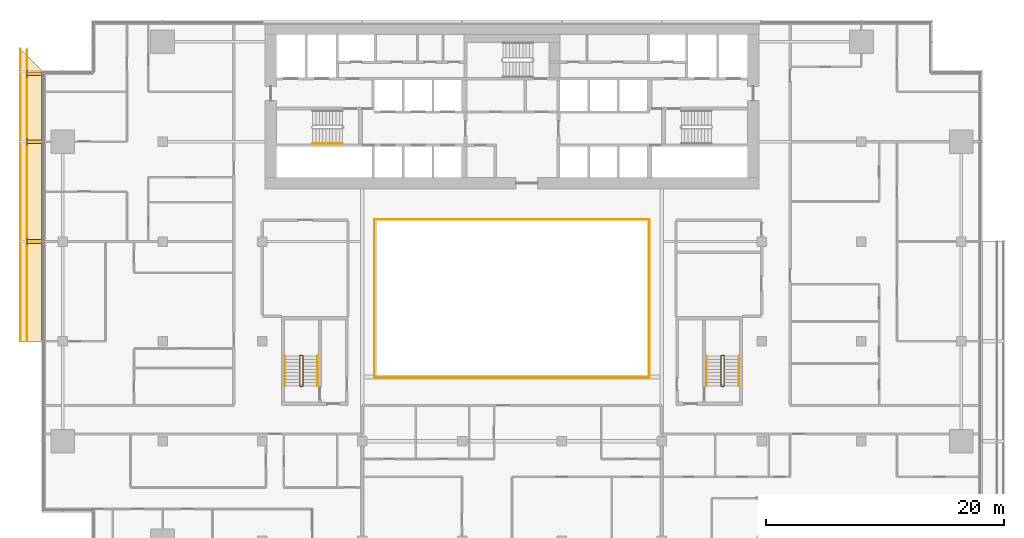
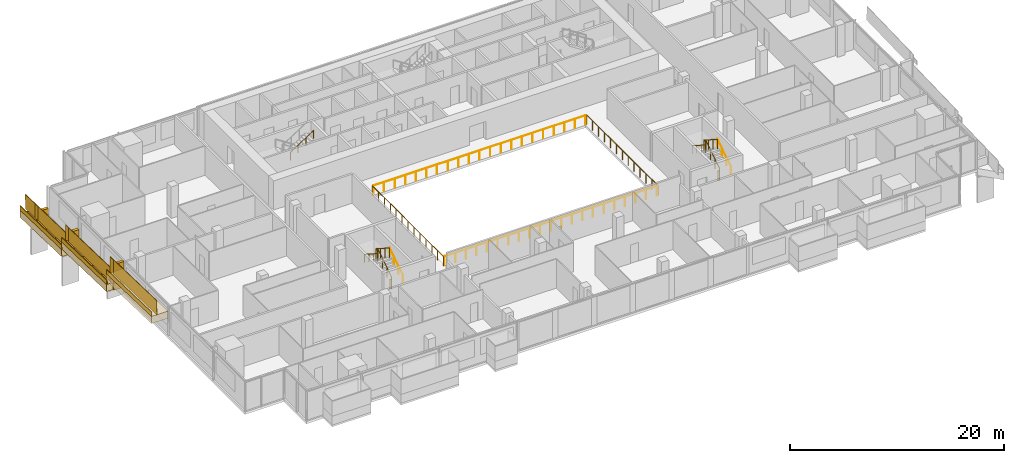
# One storey, part 25 of 27: 17 railings, 9 coverings.
"""IFC4 building model written with IfcOpenShell, lengths in metres."""

from ifc_helpers import new_model, si_unit, direction, frame, origin, origin_2d, place, context, subcontext, project, spatial, polyline, rectangle, circle, outline, extrude, material, layer, layer_set, type_object, element, save


model = new_model("IFC4")

# Units and contexts
model_context = context("Model", 3, precision=1e-05, world=origin(), true_north=direction((0.0, 1.0)))
body_context = subcontext(model_context, "Body", "Model", "MODEL_VIEW")
ifc_project = project(units=[si_unit("LENGTHUNIT", "METRE"), si_unit("AREAUNIT", "SQUARE_METRE"), si_unit("VOLUMEUNIT", "CUBIC_METRE"), si_unit("PLANEANGLEUNIT", "RADIAN"), si_unit("MASSUNIT", "GRAM", prefix="KILO")], contexts=[model_context])

# Site, building, storey
site_placement = place(None, origin())
site = spatial("IfcSite", under=ifc_project, at=site_placement, CompositionType="ELEMENT")
building_placement = place(site_placement, origin())
building = spatial("IfcBuilding", under=site, at=building_placement, Name="Saffron Gate Tower", CompositionType="ELEMENT")
storey_placement = place(building_placement, frame((0.0, 0.0, 109.64990234375)))
storey = spatial("IfcBuildingStorey", under=building, at=storey_placement, Name="L25", CompositionType="ELEMENT", Elevation=109.64990234375)

# Railings
ifc_material_1 = material(Name="Stainless steel and laminated glass", Category="steel")
railing_type_1 = type_object("IfcRailingType", Name="AG1 Atrium edge guard 1100", PredefinedType="GUARDRAIL", material=ifc_material_1)
railing_1_placement = place(storey_placement, frame((76.02001953125, 45.5400390625, 0.0)))
element("IfcRailing", 1, at=railing_1_placement, inside=storey, type_object=railing_type_1, Name="Guard B2-1", PredefinedType="GUARDRAIL", context=body_context, shape_type="SweptSolid", body=[
    extrude(circle(Radius=0.02392578125, at=origin_2d()), frame((0.0, 0.0, 1.076171875), z_axis=(0.0, 1.0, 0.0), x_axis=(-1.0, 0.0, 0.0)), (0.0, 0.0, 1.0), 13.320068359375),
    extrude(circle(Radius=0.02099609375, at=origin_2d()), origin(), (0.0, 0.0, 1.0), 1.052001953125),
    extrude(circle(Radius=0.02099609375, at=origin_2d()), frame((0.0, 1.110107421875, 0.0)), (0.0, 0.0, 1.0), 1.052001953125),
    extrude(circle(Radius=0.02099609375, at=origin_2d()), frame((0.0, 2.219970703125, 0.0)), (0.0, 0.0, 1.0), 1.052001953125),
    extrude(circle(Radius=0.02099609375, at=origin_2d()), frame((0.0, 3.330078125, 0.0)), (0.0, 0.0, 1.0), 1.052001953125),
    extrude(circle(Radius=0.02099609375, at=origin_2d()), frame((0.0, 4.43994140625, 0.0)), (0.0, 0.0, 1.0), 1.052001953125),
    extrude(circle(Radius=0.02099609375, at=origin_2d()), frame((0.0, 5.550048828125, 0.0)), (0.0, 0.0, 1.0), 1.052001953125),
    extrude(circle(Radius=0.02099609375, at=origin_2d()), frame((0.0, 6.66015625, 0.0)), (0.0, 0.0, 1.0), 1.052001953125),
    extrude(circle(Radius=0.02099609375, at=origin_2d()), frame((0.0, 7.77001953125, 0.0)), (0.0, 0.0, 1.0), 1.052001953125),
    extrude(circle(Radius=0.02099609375, at=origin_2d()), frame((0.0, 8.880126953125, 0.0)), (0.0, 0.0, 1.0), 1.052001953125),
    extrude(circle(Radius=0.02099609375, at=origin_2d()), frame((0.0, 9.989990234375, 0.0)), (0.0, 0.0, 1.0), 1.052001953125),
    extrude(circle(Radius=0.02099609375, at=origin_2d()), frame((0.0, 11.10009765625, 0.0)), (0.0, 0.0, 1.0), 1.052001953125),
    extrude(circle(Radius=0.02099609375, at=origin_2d()), frame((0.0, 12.2099609375, 0.0)), (0.0, 0.0, 1.0), 1.052001953125),
    extrude(circle(Radius=0.02099609375, at=origin_2d()), frame((0.0, 13.320068359375, 0.0)), (0.0, 0.0, 1.0), 1.052001953125),
])
railing_2_placement = place(storey_placement, frame((76.139892578125, 58.860107421875, 0.0)))
element("IfcRailing", 2, at=railing_2_placement, inside=storey, type_object=railing_type_1, Name="Guard B2-2", PredefinedType="GUARDRAIL", context=body_context, shape_type="SweptSolid", body=[
    extrude(circle(Radius=0.02392578125, at=origin_2d()), frame((0.0, 0.0, 1.076171875), z_axis=(1.0, 0.0, 0.0), x_axis=(0.0, 1.0, 0.0)), (0.0, 0.0, 1.0), 22.920166015625),
    extrude(circle(Radius=0.02099609375, at=origin_2d()), origin(), (0.0, 0.0, 1.0), 1.052001953125),
    extrude(circle(Radius=0.02099609375, at=origin_2d()), frame((1.14599609375, 0.0, 0.0)), (0.0, 0.0, 1.0), 1.052001953125),
    extrude(circle(Radius=0.02099609375, at=origin_2d()), frame((2.2919921875, 0.0, 0.0)), (0.0, 0.0, 1.0), 1.052001953125),
    extrude(circle(Radius=0.02099609375, at=origin_2d()), frame((3.43798828125, 0.0, 0.0)), (0.0, 0.0, 1.0), 1.052001953125),
    extrude(circle(Radius=0.02099609375, at=origin_2d()), frame((4.583984375, 0.0, 0.0)), (0.0, 0.0, 1.0), 1.052001953125),
    extrude(circle(Radius=0.02099609375, at=origin_2d()), frame((5.72998046875, 0.0, 0.0)), (0.0, 0.0, 1.0), 1.052001953125),
    extrude(circle(Radius=0.02099609375, at=origin_2d()), frame((6.8759765625, 0.0, 0.0)), (0.0, 0.0, 1.0), 1.052001953125),
    extrude(circle(Radius=0.02099609375, at=origin_2d()), frame((8.02197265625, 0.0, 0.0)), (0.0, 0.0, 1.0), 1.052001953125),
    extrude(circle(Radius=0.02099609375, at=origin_2d()), frame((9.16796875, 0.0, 0.0)), (0.0, 0.0, 1.0), 1.052001953125),
    extrude(circle(Radius=0.02099609375, at=origin_2d()), frame((10.31396484375, 0.0, 0.0)), (0.0, 0.0, 1.0), 1.052001953125),
    extrude(circle(Radius=0.02099609375, at=origin_2d()), frame((11.4599609375, 0.0, 0.0)), (0.0, 0.0, 1.0), 1.052001953125),
    extrude(circle(Radius=0.02099609375, at=origin_2d()), frame((12.606201171875, 0.0, 0.0)), (0.0, 0.0, 1.0), 1.052001953125),
    extrude(circle(Radius=0.02099609375, at=origin_2d()), frame((13.752197265625, 0.0, 0.0)), (0.0, 0.0, 1.0), 1.052001953125),
    extrude(circle(Radius=0.02099609375, at=origin_2d()), frame((14.898193359375, 0.0, 0.0)), (0.0, 0.0, 1.0), 1.052001953125),
    extrude(circle(Radius=0.02099609375, at=origin_2d()), frame((16.044189453125, 0.0, 0.0)), (0.0, 0.0, 1.0), 1.052001953125),
    extrude(circle(Radius=0.02099609375, at=origin_2d()), frame((17.190185546875, 0.0, 0.0)), (0.0, 0.0, 1.0), 1.052001953125),
    extrude(circle(Radius=0.02099609375, at=origin_2d()), frame((18.336181640625, 0.0, 0.0)), (0.0, 0.0, 1.0), 1.052001953125),
    extrude(circle(Radius=0.02099609375, at=origin_2d()), frame((19.482177734375, 0.0, 0.0)), (0.0, 0.0, 1.0), 1.052001953125),
    extrude(circle(Radius=0.02099609375, at=origin_2d()), frame((20.628173828125, 0.0, 0.0)), (0.0, 0.0, 1.0), 1.052001953125),
    extrude(circle(Radius=0.02099609375, at=origin_2d()), frame((21.774169921875, 0.0, 0.0)), (0.0, 0.0, 1.0), 1.052001953125),
    extrude(circle(Radius=0.02099609375, at=origin_2d()), frame((22.920166015625, 0.0, 0.0)), (0.0, 0.0, 1.0), 1.052001953125),
])
railing_3_placement = place(storey_placement, frame((99.179931640625, 58.860107421875, 0.0)))
element("IfcRailing", 3, at=railing_3_placement, inside=storey, type_object=railing_type_1, Name="Guard B2-3", PredefinedType="GUARDRAIL", context=body_context, shape_type="SweptSolid", body=[
    extrude(circle(Radius=0.02392578125, at=origin_2d()), frame((0.0, 0.0, 1.076171875), z_axis=(0.0, -1.0, 0.0), x_axis=(1.0, 0.0, 0.0)), (0.0, 0.0, 1.0), 13.320068359375),
    extrude(circle(Radius=0.02099609375, at=origin_2d()), origin(), (0.0, 0.0, 1.0), 1.052001953125),
    extrude(circle(Radius=0.02099609375, at=origin_2d()), frame((0.0, -1.110107421875, 0.0)), (0.0, 0.0, 1.0), 1.052001953125),
    extrude(circle(Radius=0.02099609375, at=origin_2d()), frame((0.0, -2.219970703125, 0.0)), (0.0, 0.0, 1.0), 1.052001953125),
    extrude(circle(Radius=0.02099609375, at=origin_2d()), frame((0.0, -3.330078125, 0.0)), (0.0, 0.0, 1.0), 1.052001953125),
    extrude(circle(Radius=0.02099609375, at=origin_2d()), frame((0.0, -4.43994140625, 0.0)), (0.0, 0.0, 1.0), 1.052001953125),
    extrude(circle(Radius=0.02099609375, at=origin_2d()), frame((0.0, -5.550048828125, 0.0)), (0.0, 0.0, 1.0), 1.052001953125),
    extrude(circle(Radius=0.02099609375, at=origin_2d()), frame((0.0, -6.66015625, 0.0)), (0.0, 0.0, 1.0), 1.052001953125),
    extrude(circle(Radius=0.02099609375, at=origin_2d()), frame((0.0, -7.77001953125, 0.0)), (0.0, 0.0, 1.0), 1.052001953125),
    extrude(circle(Radius=0.02099609375, at=origin_2d()), frame((0.0, -8.880126953125, 0.0)), (0.0, 0.0, 1.0), 1.052001953125),
    extrude(circle(Radius=0.02099609375, at=origin_2d()), frame((0.0, -9.989990234375, 0.0)), (0.0, 0.0, 1.0), 1.052001953125),
    extrude(circle(Radius=0.02099609375, at=origin_2d()), frame((0.0, -11.10009765625, 0.0)), (0.0, 0.0, 1.0), 1.052001953125),
    extrude(circle(Radius=0.02099609375, at=origin_2d()), frame((0.0, -12.2099609375, 0.0)), (0.0, 0.0, 1.0), 1.052001953125),
    extrude(circle(Radius=0.02099609375, at=origin_2d()), frame((0.0, -13.320068359375, 0.0)), (0.0, 0.0, 1.0), 1.052001953125),
])
railing_4_placement = place(storey_placement, frame((99.06005859375, 45.5400390625, 0.0)))
element("IfcRailing", 4, at=railing_4_placement, inside=storey, type_object=railing_type_1, Name="Guard B2-4", PredefinedType="GUARDRAIL", context=body_context, shape_type="SweptSolid", body=[
    extrude(circle(Radius=0.02392578125, at=origin_2d()), frame((0.0, 0.0, 1.076171875), z_axis=(-1.0, 0.0, 0.0), x_axis=(0.0, -1.0, 0.0)), (0.0, 0.0, 1.0), 22.920166015625),
    extrude(circle(Radius=0.02099609375, at=origin_2d()), origin(), (0.0, 0.0, 1.0), 1.052001953125),
    extrude(circle(Radius=0.02099609375, at=origin_2d()), frame((-1.14599609375, 0.0, 0.0)), (0.0, 0.0, 1.0), 1.052001953125),
    extrude(circle(Radius=0.02099609375, at=origin_2d()), frame((-2.2919921875, 0.0, 0.0)), (0.0, 0.0, 1.0), 1.052001953125),
    extrude(circle(Radius=0.02099609375, at=origin_2d()), frame((-3.43798828125, 0.0, 0.0)), (0.0, 0.0, 1.0), 1.052001953125),
    extrude(circle(Radius=0.02099609375, at=origin_2d()), frame((-4.583984375, 0.0, 0.0)), (0.0, 0.0, 1.0), 1.052001953125),
    extrude(circle(Radius=0.02099609375, at=origin_2d()), frame((-5.72998046875, 0.0, 0.0)), (0.0, 0.0, 1.0), 1.052001953125),
    extrude(circle(Radius=0.02099609375, at=origin_2d()), frame((-6.8759765625, 0.0, 0.0)), (0.0, 0.0, 1.0), 1.052001953125),
    extrude(circle(Radius=0.02099609375, at=origin_2d()), frame((-8.02197265625, 0.0, 0.0)), (0.0, 0.0, 1.0), 1.052001953125),
    extrude(circle(Radius=0.02099609375, at=origin_2d()), frame((-9.16796875, 0.0, 0.0)), (0.0, 0.0, 1.0), 1.052001953125),
    extrude(circle(Radius=0.02099609375, at=origin_2d()), frame((-10.31396484375, 0.0, 0.0)), (0.0, 0.0, 1.0), 1.052001953125),
    extrude(circle(Radius=0.02099609375, at=origin_2d()), frame((-11.4599609375, 0.0, 0.0)), (0.0, 0.0, 1.0), 1.052001953125),
    extrude(circle(Radius=0.02099609375, at=origin_2d()), frame((-12.606201171875, 0.0, 0.0)), (0.0, 0.0, 1.0), 1.052001953125),
    extrude(circle(Radius=0.02099609375, at=origin_2d()), frame((-13.752197265625, 0.0, 0.0)), (0.0, 0.0, 1.0), 1.052001953125),
    extrude(circle(Radius=0.02099609375, at=origin_2d()), frame((-14.898193359375, 0.0, 0.0)), (0.0, 0.0, 1.0), 1.052001953125),
    extrude(circle(Radius=0.02099609375, at=origin_2d()), frame((-16.044189453125, 0.0, 0.0)), (0.0, 0.0, 1.0), 1.052001953125),
    extrude(circle(Radius=0.02099609375, at=origin_2d()), frame((-17.190185546875, 0.0, 0.0)), (0.0, 0.0, 1.0), 1.052001953125),
    extrude(circle(Radius=0.02099609375, at=origin_2d()), frame((-18.336181640625, 0.0, 0.0)), (0.0, 0.0, 1.0), 1.052001953125),
    extrude(circle(Radius=0.02099609375, at=origin_2d()), frame((-19.482177734375, 0.0, 0.0)), (0.0, 0.0, 1.0), 1.052001953125),
    extrude(circle(Radius=0.02099609375, at=origin_2d()), frame((-20.628173828125, 0.0, 0.0)), (0.0, 0.0, 1.0), 1.052001953125),
    extrude(circle(Radius=0.02099609375, at=origin_2d()), frame((-21.774169921875, 0.0, 0.0)), (0.0, 0.0, 1.0), 1.052001953125),
    extrude(circle(Radius=0.02099609375, at=origin_2d()), frame((-22.920166015625, 0.0, 0.0)), (0.0, 0.0, 1.0), 1.052001953125),
])
railing_type_2 = type_object("IfcRailingType", Name="CR1 Stair guard 1100", PredefinedType="GUARDRAIL", material=ifc_material_1)
railing_5_placement = place(storey_placement, frame((69.800048828125, 44.800048828125, 0.0)))
element("IfcRailing", 5, at=railing_5_placement, inside=storey, type_object=railing_type_2, Name="L25 ST-D stair guard 1", PredefinedType="GUARDRAIL", context=body_context, shape_type="SweptSolid", body=[
    extrude(circle(Radius=0.02392578125, at=origin_2d()), frame((0.0, 0.0, 1.076171875), z_axis=(1.0, 0.0, 0.0), x_axis=(0.0, 1.0, 0.0)), (0.0, 0.0, 1.0), 0.14990234375),
    extrude(circle(Radius=0.02392578125, at=origin_2d()), frame((0.14990234375, 0.0, 1.076171875), z_axis=(0.258543844998, 0.258543844998, 0.930757841991), x_axis=(-0.707106781187, 0.707106781187, 0.0)), (0.0, 0.0, 1.0), 0.193603515625),
    extrude(circle(Radius=0.02392578125, at=origin_2d()), frame((0.199951171875, 0.050048828125, 1.25634765625), z_axis=(0.0, 0.841199657755, 0.540724639528), x_axis=(-1.0, 0.0, 0.0)), (0.0, 0.0, 1.0), 2.995849609375),
    extrude(circle(Radius=0.02392578125, at=origin_2d()), frame((0.199951171875, 2.570068359375, 2.8759765625), z_axis=(-0.708833529934, 0.705375805398, 0.0), x_axis=(-0.705375805398, -0.708833529934, 0.0)), (0.0, 0.0, 1.0), 0.070556640625),
    extrude(circle(Radius=0.02392578125, at=origin_2d()), frame((0.14990234375, 2.619873046875, 2.8759765625), z_axis=(-1.0, 0.0, 0.0), x_axis=(0.0, -1.0, 0.0)), (0.0, 0.0, 1.0), 0.14990234375),
    extrude(circle(Radius=0.02392578125, at=origin_2d()), frame((0.0, 2.619873046875, 2.8759765625), z_axis=(-0.258932105505, -0.257669022063, 0.930892496375), x_axis=(0.705375805398, -0.708833529934, 0.0)), (0.0, 0.0, 1.0), 0.193359375),
    extrude(circle(Radius=0.02392578125, at=origin_2d()), frame((-0.050048828125, 2.570068359375, 3.05615234375), z_axis=(0.0, -0.841162588446, 0.540782303519), x_axis=(1.0, 0.0, 0.0)), (0.0, 0.0, 1.0), 2.995849609375),
    extrude(circle(Radius=0.02099609375, at=origin_2d()), origin(), (0.0, 0.0, 1.0), 1.052001953125),
    extrude(circle(Radius=0.02099609375, at=origin_2d()), frame((0.14990234375, 0.0, 0.0)), (0.0, 0.0, 1.0), 1.052001953125),
    extrude(circle(Radius=0.02099609375, at=origin_2d()), frame((0.199951171875, 0.050048828125, 0.18017578125)), (0.0, 0.0, 1.0), 1.052001953125),
    extrude(circle(Radius=0.02099609375, at=origin_2d()), frame((0.199951171875, 0.89013671875, 0.72021484375)), (0.0, 0.0, 1.0), 1.052001953125),
    extrude(circle(Radius=0.02099609375, at=origin_2d()), frame((0.199951171875, 1.72998046875, 1.260009765625)), (0.0, 0.0, 1.0), 1.052001953125),
    extrude(circle(Radius=0.02099609375, at=origin_2d()), frame((0.199951171875, 2.570068359375, 1.800048828125)), (0.0, 0.0, 1.0), 1.052001953125),
    extrude(circle(Radius=0.02099609375, at=origin_2d()), frame((0.14990234375, 2.619873046875, 1.800048828125)), (0.0, 0.0, 1.0), 1.052001953125),
    extrude(circle(Radius=0.02099609375, at=origin_2d()), frame((0.0, 2.619873046875, 1.800048828125)), (0.0, 0.0, 1.0), 1.052001953125),
    extrude(circle(Radius=0.02099609375, at=origin_2d()), frame((-0.050048828125, 2.570068359375, 1.97998046875)), (0.0, 0.0, 1.0), 1.052001953125),
    extrude(circle(Radius=0.02099609375, at=origin_2d()), frame((-0.050048828125, 1.72998046875, 2.52001953125)), (0.0, 0.0, 1.0), 1.052001953125),
    extrude(circle(Radius=0.02099609375, at=origin_2d()), frame((-0.050048828125, 0.89013671875, 3.06005859375)), (0.0, 0.0, 1.0), 1.052001953125),
    extrude(circle(Radius=0.02099609375, at=origin_2d()), frame((-0.050048828125, 0.050048828125, 3.60009765625)), (0.0, 0.0, 1.0), 1.052001953125),
])
railing_6_placement = place(storey_placement, frame((105.25, 44.800048828125, 0.0)))
element("IfcRailing", 6, at=railing_6_placement, inside=storey, type_object=railing_type_2, Name="L25 ST-E stair guard 1", PredefinedType="GUARDRAIL", context=body_context, shape_type="SweptSolid", body=[
    extrude(circle(Radius=0.02392578125, at=origin_2d()), frame((0.0, 0.0, 1.076171875), z_axis=(1.0, 0.0, 0.0), x_axis=(0.0, 1.0, 0.0)), (0.0, 0.0, 1.0), 0.14990234375),
    extrude(circle(Radius=0.02392578125, at=origin_2d()), frame((0.14990234375, 0.0, 1.076171875), z_axis=(0.258543844998, 0.258543844998, 0.930757841991), x_axis=(-0.707106781187, 0.707106781187, 0.0)), (0.0, 0.0, 1.0), 0.193603515625),
    extrude(circle(Radius=0.02392578125, at=origin_2d()), frame((0.199951171875, 0.050048828125, 1.25634765625), z_axis=(0.0, 0.841199657755, 0.540724639528), x_axis=(-1.0, 0.0, 0.0)), (0.0, 0.0, 1.0), 2.995849609375),
    extrude(circle(Radius=0.02392578125, at=origin_2d()), frame((0.199951171875, 2.570068359375, 2.8759765625), z_axis=(-0.708833529934, 0.705375805398, 0.0), x_axis=(-0.705375805398, -0.708833529934, 0.0)), (0.0, 0.0, 1.0), 0.070556640625),
    extrude(circle(Radius=0.02392578125, at=origin_2d()), frame((0.14990234375, 2.619873046875, 2.8759765625), z_axis=(-1.0, 0.0, 0.0), x_axis=(0.0, -1.0, 0.0)), (0.0, 0.0, 1.0), 0.14990234375),
    extrude(circle(Radius=0.02392578125, at=origin_2d()), frame((0.0, 2.619873046875, 2.8759765625), z_axis=(-0.258932105505, -0.257669022063, 0.930892496375), x_axis=(0.705375805398, -0.708833529934, 0.0)), (0.0, 0.0, 1.0), 0.193359375),
    extrude(circle(Radius=0.02392578125, at=origin_2d()), frame((-0.050048828125, 2.570068359375, 3.05615234375), z_axis=(0.0, -0.841162588446, 0.540782303519), x_axis=(1.0, 0.0, 0.0)), (0.0, 0.0, 1.0), 2.995849609375),
    extrude(circle(Radius=0.02099609375, at=origin_2d()), origin(), (0.0, 0.0, 1.0), 1.052001953125),
    extrude(circle(Radius=0.02099609375, at=origin_2d()), frame((0.14990234375, 0.0, 0.0)), (0.0, 0.0, 1.0), 1.052001953125),
    extrude(circle(Radius=0.02099609375, at=origin_2d()), frame((0.199951171875, 0.050048828125, 0.18017578125)), (0.0, 0.0, 1.0), 1.052001953125),
    extrude(circle(Radius=0.02099609375, at=origin_2d()), frame((0.199951171875, 0.89013671875, 0.72021484375)), (0.0, 0.0, 1.0), 1.052001953125),
    extrude(circle(Radius=0.02099609375, at=origin_2d()), frame((0.199951171875, 1.72998046875, 1.260009765625)), (0.0, 0.0, 1.0), 1.052001953125),
    extrude(circle(Radius=0.02099609375, at=origin_2d()), frame((0.199951171875, 2.570068359375, 1.800048828125)), (0.0, 0.0, 1.0), 1.052001953125),
    extrude(circle(Radius=0.02099609375, at=origin_2d()), frame((0.14990234375, 2.619873046875, 1.800048828125)), (0.0, 0.0, 1.0), 1.052001953125),
    extrude(circle(Radius=0.02099609375, at=origin_2d()), frame((0.0, 2.619873046875, 1.800048828125)), (0.0, 0.0, 1.0), 1.052001953125),
    extrude(circle(Radius=0.02099609375, at=origin_2d()), frame((-0.050048828125, 2.570068359375, 1.97998046875)), (0.0, 0.0, 1.0), 1.052001953125),
    extrude(circle(Radius=0.02099609375, at=origin_2d()), frame((-0.050048828125, 1.72998046875, 2.52001953125)), (0.0, 0.0, 1.0), 1.052001953125),
    extrude(circle(Radius=0.02099609375, at=origin_2d()), frame((-0.050048828125, 0.89013671875, 3.06005859375)), (0.0, 0.0, 1.0), 1.052001953125),
    extrude(circle(Radius=0.02099609375, at=origin_2d()), frame((-0.050048828125, 0.050048828125, 3.60009765625)), (0.0, 0.0, 1.0), 1.052001953125),
])
ifc_material_2 = material(Name="Stainless steel", Category="steel")
railing_type_3 = type_object("IfcRailingType", Name="CR2 Stair handrail 900", PredefinedType="HANDRAIL", material=ifc_material_2)
railing_7_placement = place(storey_placement, frame((70.830078125, 65.25, 1.97998046875)))
element("IfcRailing", 7, at=railing_7_placement, inside=storey, type_object=railing_type_3, Name="L25 ST-A stair handrail 2", PredefinedType="HANDRAIL", context=body_context, shape_type="SweptSolid", body=[
    extrude(circle(Radius=0.02392578125, at=origin_2d()), frame((0.0, 0.0, 0.8759765625), z_axis=(0.841162588446, 0.0, 0.540782303519), x_axis=(0.0, 1.0, 0.0)), (0.0, 0.0, 1.0), 2.995849609375),
    extrude(circle(Radius=0.02099609375, at=origin_2d()), origin(), (0.0, 0.0, 1.0), 0.851806640625),
    extrude(circle(Radius=0.02099609375, at=origin_2d()), frame((0.840087890625, 0.0, 0.5400390625)), (0.0, 0.0, 1.0), 0.851806640625),
    extrude(circle(Radius=0.02099609375, at=origin_2d()), frame((1.679931640625, 0.0, 1.080078125)), (0.0, 0.0, 1.0), 0.851806640625),
    extrude(circle(Radius=0.02099609375, at=origin_2d()), frame((2.52001953125, 0.0, 1.6201171875)), (0.0, 0.0, 1.0), 0.851806640625),
])
railing_8_placement = place(storey_placement, frame((71.25, 44.85009765625, 0.18017578125)))
element("IfcRailing", 8, at=railing_8_placement, inside=storey, type_object=railing_type_3, Name="L25 ST-D stair handrail 1", PredefinedType="HANDRAIL", context=body_context, shape_type="SweptSolid", body=[
    extrude(circle(Radius=0.02392578125, at=origin_2d()), frame((0.0, 0.0, 0.8759765625), z_axis=(0.0, 0.841199657755, 0.540724639528), x_axis=(-1.0, 0.0, 0.0)), (0.0, 0.0, 1.0), 2.995849609375),
    extrude(circle(Radius=0.02099609375, at=origin_2d()), origin(), (0.0, 0.0, 1.0), 0.851806640625),
    extrude(circle(Radius=0.02099609375, at=origin_2d()), frame((0.0, 0.840087890625, 0.5400390625)), (0.0, 0.0, 1.0), 0.851806640625),
    extrude(circle(Radius=0.02099609375, at=origin_2d()), frame((0.0, 1.679931640625, 1.079833984375)), (0.0, 0.0, 1.0), 0.851806640625),
    extrude(circle(Radius=0.02099609375, at=origin_2d()), frame((0.0, 2.52001953125, 1.619873046875)), (0.0, 0.0, 1.0), 0.851806640625),
])
railing_9_placement = place(storey_placement, frame((68.5, 47.3701171875, 1.97998046875)))
element("IfcRailing", 9, at=railing_9_placement, inside=storey, type_object=railing_type_3, Name="L25 ST-D stair handrail 2", PredefinedType="HANDRAIL", context=body_context, shape_type="SweptSolid", body=[
    extrude(circle(Radius=0.02392578125, at=origin_2d()), frame((0.0, 0.0, 0.8759765625), z_axis=(0.0, -0.841162588446, 0.540782303519), x_axis=(1.0, 0.0, 0.0)), (0.0, 0.0, 1.0), 2.995849609375),
    extrude(circle(Radius=0.02099609375, at=origin_2d()), origin(), (0.0, 0.0, 1.0), 0.851806640625),
    extrude(circle(Radius=0.02099609375, at=origin_2d()), frame((0.0, -0.840087890625, 0.5400390625)), (0.0, 0.0, 1.0), 0.851806640625),
    extrude(circle(Radius=0.02099609375, at=origin_2d()), frame((0.0, -1.679931640625, 1.080078125)), (0.0, 0.0, 1.0), 0.851806640625),
    extrude(circle(Radius=0.02099609375, at=origin_2d()), frame((0.0, -2.52001953125, 1.6201171875)), (0.0, 0.0, 1.0), 0.851806640625),
])
railing_10_placement = place(storey_placement, frame((106.699951171875, 44.85009765625, 0.18017578125)))
element("IfcRailing", 10, at=railing_10_placement, inside=storey, type_object=railing_type_3, Name="L25 ST-E stair handrail 1", PredefinedType="HANDRAIL", context=body_context, shape_type="SweptSolid", body=[
    extrude(circle(Radius=0.02392578125, at=origin_2d()), frame((0.0, 0.0, 0.8759765625), z_axis=(0.0, 0.841199657755, 0.540724639528), x_axis=(-1.0, 0.0, 0.0)), (0.0, 0.0, 1.0), 2.995849609375),
    extrude(circle(Radius=0.02099609375, at=origin_2d()), origin(), (0.0, 0.0, 1.0), 0.851806640625),
    extrude(circle(Radius=0.02099609375, at=origin_2d()), frame((0.0, 0.840087890625, 0.5400390625)), (0.0, 0.0, 1.0), 0.851806640625),
    extrude(circle(Radius=0.02099609375, at=origin_2d()), frame((0.0, 1.679931640625, 1.079833984375)), (0.0, 0.0, 1.0), 0.851806640625),
    extrude(circle(Radius=0.02099609375, at=origin_2d()), frame((0.0, 2.52001953125, 1.619873046875)), (0.0, 0.0, 1.0), 0.851806640625),
])
railing_11_placement = place(storey_placement, frame((103.949951171875, 47.3701171875, 1.97998046875)))
element("IfcRailing", 11, at=railing_11_placement, inside=storey, type_object=railing_type_3, Name="L25 ST-E stair handrail 2", PredefinedType="HANDRAIL", context=body_context, shape_type="SweptSolid", body=[
    extrude(circle(Radius=0.02392578125, at=origin_2d()), frame((0.0, 0.0, 0.8759765625), z_axis=(0.0, -0.841162588446, 0.540782303519), x_axis=(1.0, 0.0, 0.0)), (0.0, 0.0, 1.0), 2.995849609375),
    extrude(circle(Radius=0.02099609375, at=origin_2d()), origin(), (0.0, 0.0, 1.0), 0.851806640625),
    extrude(circle(Radius=0.02099609375, at=origin_2d()), frame((0.0, -0.840087890625, 0.5400390625)), (0.0, 0.0, 1.0), 0.851806640625),
    extrude(circle(Radius=0.02099609375, at=origin_2d()), frame((0.0, -1.679931640625, 1.080078125)), (0.0, 0.0, 1.0), 0.851806640625),
    extrude(circle(Radius=0.02099609375, at=origin_2d()), frame((0.0, -2.52001953125, 1.6201171875)), (0.0, 0.0, 1.0), 0.851806640625),
])

# Coverings
ifc_material_3 = material(Name="Timber, thermally modified ash", Category="wood")
ifc_layer_1 = layer(ifc_material_3, 0.800048828125)
ifc_layer_set_1 = layer_set([ifc_layer_1], Name="LD1 ledge timber")
covering_type_1 = type_object("IfcCoveringType", Name="LD1 ledge timber", PredefinedType="CLADDING", material=ifc_layer_set_1)
covering_1_placement = place(storey_placement, frame((48.0, 71.39990234375, 0.099365234375), z_axis=(-3.5027307e-05, 0.028807146299, 0.99958498743), x_axis=(-3.68e-10, -0.999584988043, 0.028807146316)))
element("IfcCovering", 12, at=covering_1_placement, inside=storey, type_object=covering_type_1, Name="LEDGE", PredefinedType="CLADDING", context=body_context, shape_type="SweptSolid", body=[
    extrude(outline(polyline([(0.0, 0.0), (6.0024892885105, 2.541098841762901e-21), (6.002489289172793, -1.8000488270207489), (-1.800799813548424, -1.8000488321003227), (0.0, 0.0)])), origin(), (0.0, 0.0, -1.0), 0.800048828125),
])
for number, where, z_axis, x_axis, name in (
    (13, (48.0, 65.39990234375, 1.129638671875), (0.0, 0.028791175352, 0.999585448184), (0.0, -0.999585448184, 0.028791175352), "LEDGE"),
    (14, (48.0, 57.0, 2.57177734375), (0.0, 0.028791175352, 0.999585448184), (0.0, -0.999585448184, 0.028791175352), "LEDGE"),
):
    element("IfcCovering", number, at=place(storey_placement, frame(where, z_axis=z_axis, x_axis=x_axis)), inside=storey, type_object=covering_type_1, Name=name, PredefinedType="CLADDING", context=body_context, shape_type="SweptSolid", body=[
        extrude(outline(polyline([(0.0, 0.0), (8.403385982666892, 0.0), (8.403385982666892, -1.800048828125), (0.0, -1.800048828125), (0.0, 0.0)])), origin(), (0.0, 0.0, -1.0), 0.800048828125),
    ])
ifc_layer_2 = layer(ifc_material_3, 0.080078125)
ifc_layer_set_2 = layer_set([ifc_layer_2], Name="LD2 ledge planter trough")
covering_type_2 = type_object("IfcCoveringType", Name="LD2 ledge planter trough", PredefinedType="CLADDING", material=ifc_layer_set_2)
covering_2_placement = place(storey_placement, frame((46.199951171875, 73.199951171875, 0.04736328125), z_axis=(-1.0, 0.0, 0.0), x_axis=(0.0, -0.999584755248, 0.028815222999)))
element("IfcCovering", 15, at=covering_2_placement, inside=storey, type_object=covering_type_2, Name="LEDGE planter trough", PredefinedType="CLADDING", context=body_context, shape_type="SweptSolid", body=[
    extrude(outline(polyline([(0.0, 0.0), (7.803289102975944, 0.0), (7.8176967144752565, 0.4997923776238338), (0.014407611499312996, 0.4997923776238338), (0.0, 0.0)])), origin(), (0.0, 0.0, -1.0), 0.080078125),
])
for number, where, z_axis, x_axis, name in (
    (16, (46.199951171875, 65.39990234375, 1.129638671875), (-1.0, 0.0, 0.0), (0.0, -0.999585448184, 0.028791175352), "LEDGE planter trough"),
    (17, (46.199951171875, 57.0, 2.57177734375), (-1.0, 0.0, 0.0), (0.0, -0.999585448184, 0.028791175352), "LEDGE planter trough"),
):
    element("IfcCovering", number, at=place(storey_placement, frame(where, z_axis=z_axis, x_axis=x_axis)), inside=storey, type_object=covering_type_2, Name=name, PredefinedType="CLADDING", context=body_context, shape_type="SweptSolid", body=[
        extrude(outline(polyline([(0.0, 0.0), (8.403385982666892, 0.0), (8.417781570342743, 0.49979272409216496), (0.014395587675851172, 0.4997927240921649), (0.0, 0.0)])), origin(), (0.0, 0.0, -1.0), 0.080078125),
    ])
ifc_layer_3 = layer(ifc_material_3, 0.300048828125)
ifc_layer_set_3 = layer_set([ifc_layer_3], Name="LD3 ledge riser fin")
covering_type_3 = type_object("IfcCoveringType", Name="LD3 ledge riser fin", PredefinedType="CLADDING", material=ifc_layer_set_3)
covering_3_placement = place(storey_placement, frame((47.43994140625, 71.10009765625, -0.9580078125), z_axis=(0.0, 0.0, 1.0), x_axis=(0.0, -1.0, 0.0)))
element("IfcCovering", 18, at=covering_3_placement, inside=storey, type_object=covering_type_3, Name="LEDGE riser fin", PredefinedType="CLADDING", context=body_context, shape_type="SweptSolid", body=[
    extrude(rectangle(XDim=0.300048828125, YDim=1.1201171875, at=origin_2d()), origin(), (0.0, 0.0, 1.0), 1.957275390625),
])
covering_4_placement = place(storey_placement, frame((47.43994140625, 65.39990234375, -0.52783203125), z_axis=(0.0, 0.0, 1.0), x_axis=(0.0, -1.0, 0.0)))
element("IfcCovering", 19, at=covering_4_placement, inside=storey, type_object=covering_type_3, Name="LEDGE riser fin", PredefinedType="CLADDING", context=body_context, shape_type="SweptSolid", body=[
    extrude(rectangle(XDim=0.300048828125, YDim=1.1201171875, at=origin_2d()), origin(), (0.0, 0.0, 1.0), 2.557373046875),
])
covering_5_placement = place(storey_placement, frame((47.43994140625, 57.0, 0.571533203125), z_axis=(0.0, 0.0, 1.0), x_axis=(0.0, -1.0, 0.0)))
element("IfcCovering", 20, at=covering_5_placement, inside=storey, type_object=covering_type_3, Name="LEDGE riser fin", PredefinedType="CLADDING", context=body_context, shape_type="SweptSolid", body=[
    extrude(rectangle(XDim=0.300048828125, YDim=1.1201171875, at=origin_2d()), origin(), (0.0, 0.0, 1.0), 2.900390625),
])

# Railings
railing_type_4 = type_object("IfcRailingType", Name="LG1 ledge balustrade", PredefinedType="BALUSTRADE", material=ifc_material_3)
railing_12_placement = place(storey_placement, frame((46.800048828125, 73.199951171875, 0.04736328125)))
element("IfcRailing", 21, at=railing_12_placement, inside=storey, type_object=railing_type_4, Name="LEDGE BALUSTRADE", PredefinedType="BALUSTRADE", context=body_context, shape_type="SweptSolid", body=[
    extrude(rectangle(XDim=0.06005859375, YDim=1.60009765625, at=origin_2d()), frame((0.0, 0.0, 0.800048828125), z_axis=(0.0, -0.999584755248, 0.028815222999), x_axis=(1.0, 0.0, 0.0)), (0.0, 0.0, 1.0), 7.80322265625),
])
railing_13_placement = place(storey_placement, frame((46.800048828125, 71.39990234375, -0.157958984375)))
element("IfcRailing", 22, at=railing_13_placement, inside=storey, type_object=railing_type_4, Name="LEDGE BALUSTRADE", PredefinedType="BALUSTRADE", context=body_context, shape_type="SweptSolid", body=[
    extrude(rectangle(XDim=0.06005859375, YDim=1.857177734375, at=origin_2d()), frame((0.0, 0.0, 0.9287109375), z_axis=(0.0, -1.0, 0.0), x_axis=(1.0, 0.0, 0.0)), (0.0, 0.0, 1.0), 0.599853515625),
])
railing_14_placement = place(storey_placement, frame((46.800048828125, 65.39990234375, 1.129638671875)))
element("IfcRailing", 23, at=railing_14_placement, inside=storey, type_object=railing_type_4, Name="LEDGE BALUSTRADE", PredefinedType="BALUSTRADE", context=body_context, shape_type="SweptSolid", body=[
    extrude(rectangle(XDim=0.06005859375, YDim=1.60009765625, at=origin_2d()), frame((0.0, 0.0, 0.800048828125), z_axis=(0.0, -0.999585448184, 0.028791175352), x_axis=(1.0, 0.0, 0.0)), (0.0, 0.0, 1.0), 8.4033203125),
])
railing_15_placement = place(storey_placement, frame((46.800048828125, 65.699951171875, 0.272216796875)))
element("IfcRailing", 24, at=railing_15_placement, inside=storey, type_object=railing_type_4, Name="LEDGE BALUSTRADE", PredefinedType="BALUSTRADE", context=body_context, shape_type="SweptSolid", body=[
    extrude(rectangle(XDim=0.06005859375, YDim=2.45751953125, at=origin_2d()), frame((0.0, 0.0, 1.228759765625), z_axis=(0.0, -1.0, 0.0), x_axis=(1.0, 0.0, 0.0)), (0.0, 0.0, 1.0), 0.599853515625),
])
railing_16_placement = place(storey_placement, frame((46.800048828125, 57.0, 2.57177734375)))
element("IfcRailing", 25, at=railing_16_placement, inside=storey, type_object=railing_type_4, Name="LEDGE BALUSTRADE", PredefinedType="BALUSTRADE", context=body_context, shape_type="SweptSolid", body=[
    extrude(rectangle(XDim=0.06005859375, YDim=1.60009765625, at=origin_2d()), frame((0.0, 0.0, 0.800048828125), z_axis=(0.0, -0.999585448184, 0.028791175352), x_axis=(1.0, 0.0, 0.0)), (0.0, 0.0, 1.0), 8.4033203125),
])
railing_17_placement = place(storey_placement, frame((46.800048828125, 57.300048828125, 1.37158203125)))
element("IfcRailing", 26, at=railing_17_placement, inside=storey, type_object=railing_type_4, Name="LEDGE BALUSTRADE", PredefinedType="BALUSTRADE", context=body_context, shape_type="SweptSolid", body=[
    extrude(rectangle(XDim=0.06005859375, YDim=2.80029296875, at=origin_2d()), frame((0.0, 0.0, 1.400146484375), z_axis=(0.0, -1.0, 0.0), x_axis=(1.0, 0.0, 0.0)), (0.0, 0.0, 1.0), 0.60009765625),
])

save(model, "model.ifc")
